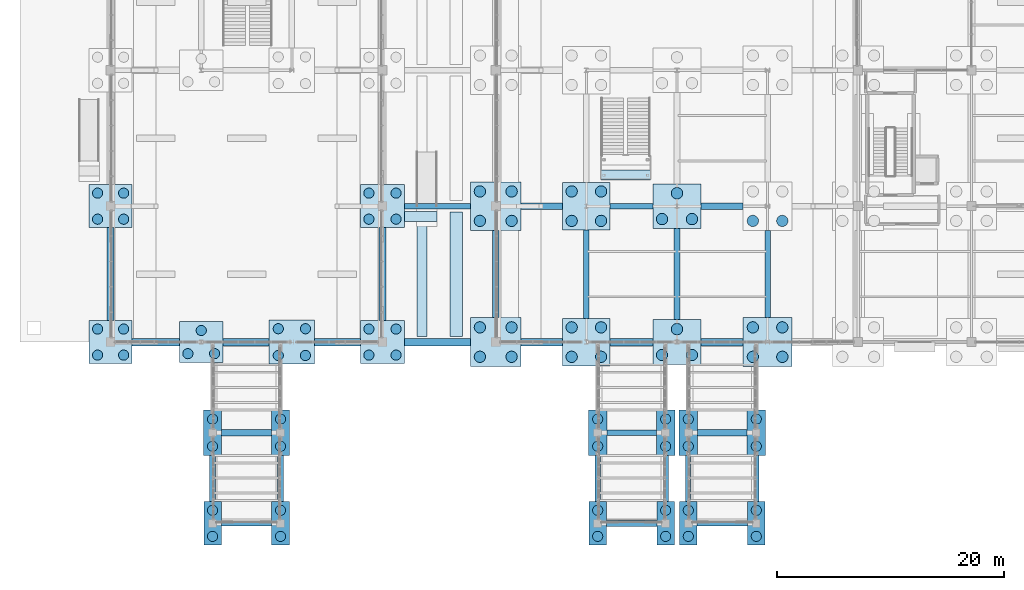
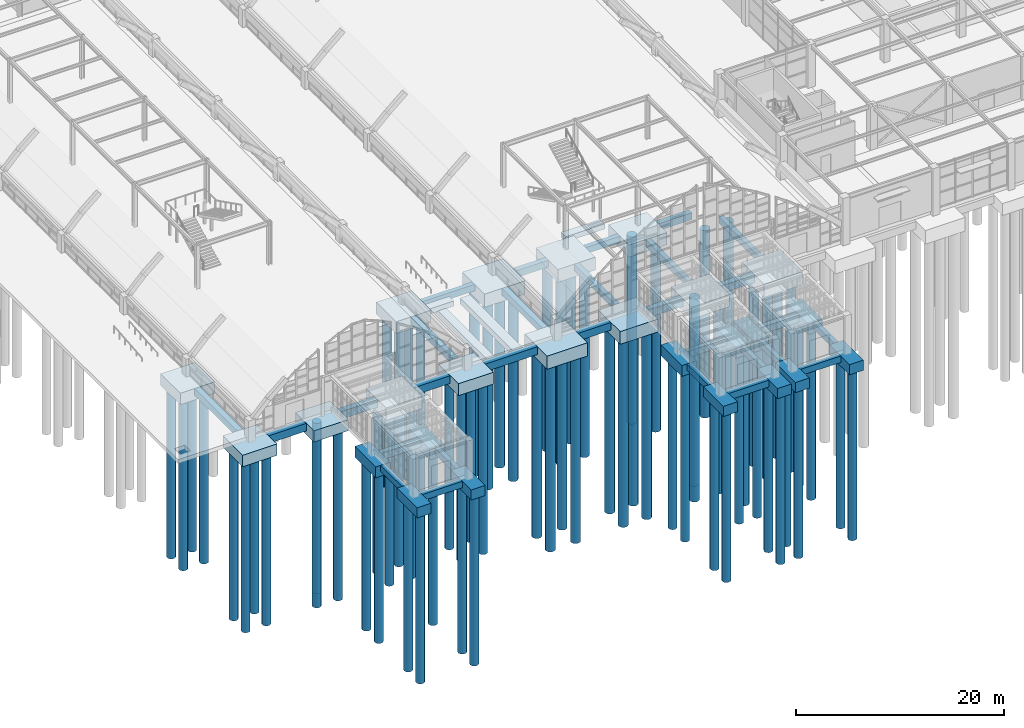
# One storey, part 1 of 129: 75 piles, 58 footings.
"""IFC4 building model written with IfcOpenShell, lengths in metres."""

from ifc_helpers import new_model, si_unit, direction, frame, origin, origin_2d, place, context, subcontext, project, spatial, rectangle, circle, extrude, material, material_profile, profile_set, type_object, element, save


model = new_model("IFC4")

# Units and contexts
model_context = context("Model", 3, precision=1e-05, world=origin(), true_north=direction((0.0, 1.0)))
body_context = subcontext(model_context, "Body", "Model", "MODEL_VIEW")
ifc_project = project(units=[si_unit("LENGTHUNIT", "METRE"), si_unit("AREAUNIT", "SQUARE_METRE"), si_unit("VOLUMEUNIT", "CUBIC_METRE"), si_unit("PLANEANGLEUNIT", "RADIAN"), si_unit("MASSUNIT", "GRAM", prefix="KILO")], contexts=[model_context])

# Site, building, storey
site_placement = place(None, origin())
site = spatial("IfcSite", under=ifc_project, at=site_placement, CompositionType="ELEMENT")
building_placement = place(site_placement, origin())
building = spatial("IfcBuilding", under=site, at=building_placement, Name="Sitalva Quay Ferry Terminal", CompositionType="ELEMENT")
storey_placement = place(building_placement, origin())
storey = spatial("IfcBuildingStorey", under=building, at=storey_placement, Name="L01", CompositionType="ELEMENT", Elevation=0.0)

# Footings
ifc_material_1 = material(Name="Concrete C35/45", Category="concrete")
ifc_material_profile_1 = material_profile(ifc_material_1, rectangle(XDim=0.5, YDim=0.75, at=origin_2d()), Name="RC500x750")
ifc_profile_set_1 = profile_set([ifc_material_profile_1], Name="Concrete C35/45")
footing_type_1 = type_object("IfcFootingType", Name="FootingBeam_500x750", PredefinedType="FOOTING_BEAM", material=ifc_profile_set_1)
for number, where, z_axis, x_axis, name in (
    (1, (17.77490234375, -10.0, -0.824951171875), (1.0, 0.0, 0.0), (0.0, 1.0, 0.0), "Foundation tie beam FBR1-X-001"),
    (2, (59.77490234375, -10.0, -0.824951171875), (1.0, 0.0, 0.0), (0.0, 1.0, 0.0), "Foundation tie beam FBR1-X-003"),
):
    element("IfcFooting", number, at=place(storey_placement, frame(where, z_axis=z_axis, x_axis=x_axis)), inside=storey, type_object=footing_type_1, Name=name, PredefinedType="FOOTING_BEAM", context=body_context, shape_type="SweptSolid", body=[
        extrude(rectangle(XDim=0.5, YDim=0.75, at=origin_2d()), origin(), (0.0, 0.0, 1.0), 4.4501953125),
    ])
footing_1_placement = place(storey_placement, frame((51.81005859375, -2.0, -0.824951171875), z_axis=(1.0, 0.0, 0.0), x_axis=(0.0, 1.0, 0.0)))
element("IfcFooting", 3, at=footing_1_placement, inside=storey, type_object=footing_type_1, Name="Foundation tie beam FBR1-X-005", PredefinedType="FOOTING_BEAM", context=body_context, shape_type="SweptSolid", body=[
    extrude(rectangle(XDim=0.5, YDim=0.75, at=origin_2d()), origin(), (0.0, 0.0, 1.0), 4.3798828125),
])
footing_2_placement = place(storey_placement, frame((33.949951171875, 18.0, -0.824951171875), z_axis=(1.0, 0.0, 0.0), x_axis=(0.0, 1.0, 0.0)))
element("IfcFooting", 4, at=footing_2_placement, inside=storey, type_object=footing_type_1, Name="Foundation tie beam FBR1-X-027", PredefinedType="FOOTING_BEAM", context=body_context, shape_type="SweptSolid", body=[
    extrude(rectangle(XDim=0.5, YDim=0.75, at=origin_2d()), origin(), (0.0, 0.0, 1.0), 5.800048828125),
])
footing_3_placement = place(storey_placement, frame((52.10009765625, 18.0, -0.824951171875), z_axis=(1.0, 0.0, 0.0), x_axis=(0.0, 1.0, 0.0)))
element("IfcFooting", 5, at=footing_3_placement, inside=storey, type_object=footing_type_1, Name="Foundation tie beam FBR1-X-029", PredefinedType="FOOTING_BEAM", context=body_context, shape_type="SweptSolid", body=[
    extrude(rectangle(XDim=0.5, YDim=0.75, at=origin_2d()), origin(), (0.0, 0.0, 1.0), 3.77490234375),
])
for number, where, z_axis, x_axis, name in (
    (6, (17.0, -8.074951171875, -0.824951171875), (0.0, 1.0, 0.0), (-1.0, 0.0, 0.0), "Foundation tie beam FBR1-Y-226"),
    (7, (23.0, -8.074951171875, -0.824951171875), (0.0, 1.0, 0.0), (-1.0, 0.0, 0.0), "Foundation tie beam FBR1-Y-227"),
):
    element("IfcFooting", number, at=place(storey_placement, frame(where, z_axis=z_axis, x_axis=x_axis)), inside=storey, type_object=footing_type_1, Name=name, PredefinedType="FOOTING_BEAM", context=body_context, shape_type="SweptSolid", body=[
        extrude(rectangle(XDim=0.5, YDim=0.75, at=origin_2d()), origin(), (0.0, 0.0, 1.0), 4.074951171875),
    ])
footing_4_placement = place(storey_placement, frame((50.0, 8.10009765625, -0.824951171875), z_axis=(0.0, 1.0, 0.0), x_axis=(-1.0, 0.0, 0.0)))
element("IfcFooting", 8, at=footing_4_placement, inside=storey, type_object=footing_type_1, Name="Foundation tie beam FBR1-Y-256", PredefinedType="FOOTING_BEAM", context=body_context, shape_type="SweptSolid", body=[
    extrude(rectangle(XDim=0.5, YDim=0.75, at=origin_2d()), origin(), (0.0, 0.0, 1.0), 7.7998046875),
])
for number, where, z_axis, x_axis, name in (
    (9, (51.0, -8.074951171875, -0.824951171875), (0.0, 1.0, 0.0), (-1.0, 0.0, 0.0), "Foundation tie beam FBR1-Y-263"),
    (10, (57.0, -8.074951171875, -0.824951171875), (0.0, 1.0, 0.0), (-1.0, 0.0, 0.0), "Foundation tie beam FBR1-Y-264"),
):
    element("IfcFooting", number, at=place(storey_placement, frame(where, z_axis=z_axis, x_axis=x_axis)), inside=storey, type_object=footing_type_1, Name=name, PredefinedType="FOOTING_BEAM", context=body_context, shape_type="SweptSolid", body=[
        extrude(rectangle(XDim=0.5, YDim=0.75, at=origin_2d()), origin(), (0.0, 0.0, 1.0), 4.074951171875),
    ])
footing_5_placement = place(storey_placement, frame((58.0, 7.97509765625, -0.824951171875), z_axis=(0.0, 1.0, 0.0), x_axis=(-1.0, 0.0, 0.0)))
element("IfcFooting", 11, at=footing_5_placement, inside=storey, type_object=footing_type_1, Name="Foundation tie beam FBR1-Y-265", PredefinedType="FOOTING_BEAM", context=body_context, shape_type="SweptSolid", body=[
    extrude(rectangle(XDim=0.5, YDim=0.75, at=origin_2d()), origin(), (0.0, 0.0, 1.0), 8.0498046875),
])
for number, where, z_axis, x_axis, name in (
    (12, (59.0, -8.074951171875, -0.824951171875), (0.0, 1.0, 0.0), (-1.0, 0.0, 0.0), "Foundation tie beam FBR1-Y-272"),
    (13, (65.0, -8.074951171875, -0.824951171875), (0.0, 1.0, 0.0), (-1.0, 0.0, 0.0), "Foundation tie beam FBR1-Y-273"),
):
    element("IfcFooting", number, at=place(storey_placement, frame(where, z_axis=z_axis, x_axis=x_axis)), inside=storey, type_object=footing_type_1, Name=name, PredefinedType="FOOTING_BEAM", context=body_context, shape_type="SweptSolid", body=[
        extrude(rectangle(XDim=0.5, YDim=0.75, at=origin_2d()), origin(), (0.0, 0.0, 1.0), 4.074951171875),
    ])
footing_6_placement = place(storey_placement, frame((66.0, 8.14990234375, -0.824951171875), z_axis=(0.0, 1.0, 0.0), x_axis=(-1.0, 0.0, 0.0)))
element("IfcFooting", 14, at=footing_6_placement, inside=storey, type_object=footing_type_1, Name="Foundation tie beam FBR1-Y-274", PredefinedType="FOOTING_BEAM", context=body_context, shape_type="SweptSolid", body=[
    extrude(rectangle(XDim=0.5, YDim=0.75, at=origin_2d()), origin(), (0.0, 0.0, 1.0), 7.7001953125),
])
ifc_material_2 = material(Name="Concrete C35/45", Category="concrete")
ifc_material_profile_2 = material_profile(ifc_material_2, rectangle(XDim=0.60009765625, YDim=0.800048828125, at=origin_2d()), Name="RC600x800")
ifc_profile_set_2 = profile_set([ifc_material_profile_2], Name="Concrete C35/45")
footing_type_2 = type_object("IfcFootingType", Name="FootingBeam_600x800", PredefinedType="FOOTING_BEAM", material=ifc_profile_set_2)
footing_7_placement = place(storey_placement, frame((51.77490234375, -10.0, -0.85009765625), z_axis=(1.0, 0.0, 0.0), x_axis=(0.0, 1.0, 0.0)))
element("IfcFooting", 15, at=footing_7_placement, inside=storey, type_object=footing_type_2, Name="Foundation tie beam FBR1-X-002", PredefinedType="FOOTING_BEAM", context=body_context, shape_type="SweptSolid", body=[
    extrude(rectangle(XDim=0.60009765625, YDim=0.800048828125, at=origin_2d()), origin(), (0.0, 0.0, 1.0), 4.4501953125),
])
for number, where, z_axis, x_axis, name in (
    (16, (17.81005859375, -2.0, -0.85009765625), (1.0, 0.0, 0.0), (0.0, 1.0, 0.0), "Foundation tie beam FBR1-X-004"),
    (17, (59.81005859375, -2.0, -0.85009765625), (1.0, 0.0, 0.0), (0.0, 1.0, 0.0), "Foundation tie beam FBR1-X-006"),
):
    element("IfcFooting", number, at=place(storey_placement, frame(where, z_axis=z_axis, x_axis=x_axis)), inside=storey, type_object=footing_type_2, Name=name, PredefinedType="FOOTING_BEAM", context=body_context, shape_type="SweptSolid", body=[
        extrude(rectangle(XDim=0.60009765625, YDim=0.800048828125, at=origin_2d()), origin(), (0.0, 0.0, 1.0), 4.3798828125),
    ])
footing_8_placement = place(storey_placement, frame((44.25, 18.0, -0.85009765625), z_axis=(1.0, 0.0, 0.0), x_axis=(0.0, 1.0, 0.0)))
element("IfcFooting", 18, at=footing_8_placement, inside=storey, type_object=footing_type_2, Name="Foundation tie beam FBR1-X-028", PredefinedType="FOOTING_BEAM", context=body_context, shape_type="SweptSolid", body=[
    extrude(rectangle(XDim=0.60009765625, YDim=0.800048828125, at=origin_2d()), origin(), (0.0, 0.0, 1.0), 3.64990234375),
])
footing_9_placement = place(storey_placement, frame((60.125, 18.0, -0.85009765625), z_axis=(1.0, 0.0, 0.0), x_axis=(0.0, 1.0, 0.0)))
element("IfcFooting", 19, at=footing_9_placement, inside=storey, type_object=footing_type_2, Name="Foundation tie beam FBR1-X-030", PredefinedType="FOOTING_BEAM", context=body_context, shape_type="SweptSolid", body=[
    extrude(rectangle(XDim=0.60009765625, YDim=0.800048828125, at=origin_2d()), origin(), (0.0, 0.0, 1.0), 3.72509765625),
])
for number, where, z_axis, x_axis, name in (
    (20, (8.0, 7.89990234375, -0.85009765625), (0.0, 1.0, 0.0), (-1.0, 0.0, 0.0), "Foundation tie beam FBR1-Y-209"),
    (21, (32.0, 7.89990234375, -0.85009765625), (0.0, 1.0, 0.0), (-1.0, 0.0, 0.0), "Foundation tie beam FBR1-Y-236"),
):
    element("IfcFooting", number, at=place(storey_placement, frame(where, z_axis=z_axis, x_axis=x_axis)), inside=storey, type_object=footing_type_2, Name=name, PredefinedType="FOOTING_BEAM", context=body_context, shape_type="SweptSolid", body=[
        extrude(rectangle(XDim=0.60009765625, YDim=0.800048828125, at=origin_2d()), origin(), (0.0, 0.0, 1.0), 8.2001953125),
    ])
footing_10_placement = place(storey_placement, frame((42.0, 8.14990234375, -0.85009765625), z_axis=(0.0, 1.0, 0.0), x_axis=(-1.0, 0.0, 0.0)))
element("IfcFooting", 22, at=footing_10_placement, inside=storey, type_object=footing_type_2, Name="Foundation tie beam FBR1-Y-246", PredefinedType="FOOTING_BEAM", context=body_context, shape_type="SweptSolid", body=[
    extrude(rectangle(XDim=0.60009765625, YDim=0.800048828125, at=origin_2d()), origin(), (0.0, 0.0, 1.0), 7.7001953125),
])
ifc_material_3 = material(Name="Concrete C35/45", Category="concrete")
ifc_material_profile_3 = material_profile(ifc_material_3, rectangle(XDim=0.64990234375, YDim=0.89990234375, at=origin_2d()), Name="RC650x900")
ifc_profile_set_3 = profile_set([ifc_material_profile_3], Name="Concrete C35/45")
footing_type_3 = type_object("IfcFootingType", Name="FootingBeam_650x900", PredefinedType="FOOTING_BEAM", material=ifc_profile_set_3)
footing_11_placement = place(storey_placement, frame((9.89990234375, 6.0, -0.89990234375), z_axis=(1.0, 0.0, 0.0), x_axis=(0.0, 1.0, 0.0)))
element("IfcFooting", 23, at=footing_11_placement, inside=storey, type_object=footing_type_3, Name="Foundation tie beam FBR1-X-007", PredefinedType="FOOTING_BEAM", context=body_context, shape_type="SweptSolid", body=[
    extrude(rectangle(XDim=0.64990234375, YDim=0.89990234375, at=origin_2d()), origin(), (0.0, 0.0, 1.0), 4.175048828125),
])
footing_12_placement = place(storey_placement, frame((17.925048828125, 6.0, -0.89990234375), z_axis=(1.0, 0.0, 0.0), x_axis=(0.0, 1.0, 0.0)))
element("IfcFooting", 24, at=footing_12_placement, inside=storey, type_object=footing_type_3, Name="Foundation tie beam FBR1-X-008", PredefinedType="FOOTING_BEAM", context=body_context, shape_type="SweptSolid", body=[
    extrude(rectangle(XDim=0.64990234375, YDim=0.89990234375, at=origin_2d()), origin(), (0.0, 0.0, 1.0), 4.074951171875),
])
footing_13_placement = place(storey_placement, frame((26.0, 6.0, -0.89990234375), z_axis=(1.0, 0.0, 0.0), x_axis=(0.0, 1.0, 0.0)))
element("IfcFooting", 25, at=footing_13_placement, inside=storey, type_object=footing_type_3, Name="Foundation tie beam FBR1-X-009", PredefinedType="FOOTING_BEAM", context=body_context, shape_type="SweptSolid", body=[
    extrude(rectangle(XDim=0.64990234375, YDim=0.89990234375, at=origin_2d()), origin(), (0.0, 0.0, 1.0), 4.050048828125),
])
footing_14_placement = place(storey_placement, frame((33.949951171875, 6.0, -0.89990234375), z_axis=(1.0, 0.0, 0.0), x_axis=(0.0, 1.0, 0.0)))
element("IfcFooting", 26, at=footing_14_placement, inside=storey, type_object=footing_type_3, Name="Foundation tie beam FBR1-X-010", PredefinedType="FOOTING_BEAM", context=body_context, shape_type="SweptSolid", body=[
    extrude(rectangle(XDim=0.64990234375, YDim=0.89990234375, at=origin_2d()), origin(), (0.0, 0.0, 1.0), 5.800048828125),
])
footing_15_placement = place(storey_placement, frame((44.25, 6.0, -0.89990234375), z_axis=(1.0, 0.0, 0.0), x_axis=(0.0, 1.0, 0.0)))
element("IfcFooting", 27, at=footing_15_placement, inside=storey, type_object=footing_type_3, Name="Foundation tie beam FBR1-X-011", PredefinedType="FOOTING_BEAM", context=body_context, shape_type="SweptSolid", body=[
    extrude(rectangle(XDim=0.64990234375, YDim=0.89990234375, at=origin_2d()), origin(), (0.0, 0.0, 1.0), 3.64990234375),
])
footing_16_placement = place(storey_placement, frame((52.10009765625, 6.0, -0.89990234375), z_axis=(1.0, 0.0, 0.0), x_axis=(0.0, 1.0, 0.0)))
element("IfcFooting", 28, at=footing_16_placement, inside=storey, type_object=footing_type_3, Name="Foundation tie beam FBR1-X-012", PredefinedType="FOOTING_BEAM", context=body_context, shape_type="SweptSolid", body=[
    extrude(rectangle(XDim=0.64990234375, YDim=0.89990234375, at=origin_2d()), origin(), (0.0, 0.0, 1.0), 3.77490234375),
])
footing_17_placement = place(storey_placement, frame((60.125, 6.0, -0.89990234375), z_axis=(1.0, 0.0, 0.0), x_axis=(0.0, 1.0, 0.0)))
element("IfcFooting", 29, at=footing_17_placement, inside=storey, type_object=footing_type_3, Name="Foundation tie beam FBR1-X-013", PredefinedType="FOOTING_BEAM", context=body_context, shape_type="SweptSolid", body=[
    extrude(rectangle(XDim=0.64990234375, YDim=0.89990234375, at=origin_2d()), origin(), (0.0, 0.0, 1.0), 3.72509765625),
])
ifc_material_4 = material(Name="Concrete C35/45", Category="concrete")
footing_type_4 = type_object("IfcFootingType", Name="PileCap_2P_D900_Y1", PredefinedType="PILE_CAP", material=ifc_material_4)
for number, where, z_axis, x_axis, name in (
    (30, (17.0, -10.0, -1.64990234375), (0.0, 0.0, 1.0), (1.0, 0.0, 0.0), "Pile cap PC-15 at X170A"),
    (31, (23.0, -10.0, -1.64990234375), (0.0, 0.0, 1.0), (1.0, 0.0, 0.0), "Pile cap PC-15 at X230A"),
    (32, (51.0, -10.0, -1.64990234375), (0.0, 0.0, 1.0), (1.0, 0.0, 0.0), "Pile cap PC-15 at X510A"),
    (33, (57.0, -10.0, -1.64990234375), (0.0, 0.0, 1.0), (1.0, 0.0, 0.0), "Pile cap PC-15 at X570A"),
    (34, (59.0, -10.0, -1.64990234375), (0.0, 0.0, 1.0), (1.0, 0.0, 0.0), "Pile cap PC-15 at X590A"),
    (35, (65.0, -10.0, -1.64990234375), (0.0, 0.0, 1.0), (1.0, 0.0, 0.0), "Pile cap PC-15 at X650A"),
):
    element("IfcFooting", number, at=place(storey_placement, frame(where, z_axis=z_axis, x_axis=x_axis)), inside=storey, type_object=footing_type_4, Name=name, PredefinedType="PILE_CAP", context=body_context, shape_type="SweptSolid", body=[
        extrude(rectangle(XDim=1.550048828125, YDim=3.85009765625, at=origin_2d()), origin(), (0.0, 0.0, 1.0), 1.199951171875),
    ])
ifc_material_5 = material(Name="Concrete C35/45", Category="concrete")
footing_type_5 = type_object("IfcFootingType", Name="PileCap_2P_D900_Y2", PredefinedType="PILE_CAP", material=ifc_material_5)
for number, where, z_axis, x_axis, name in (
    (36, (17.0, -2.0, -1.72998046875), (0.0, 0.0, 1.0), (1.0, 0.0, 0.0), "Pile cap PC-16 at X170B"),
    (37, (23.0, -2.0, -1.72998046875), (0.0, 0.0, 1.0), (1.0, 0.0, 0.0), "Pile cap PC-16 at X230B"),
    (38, (51.0, -2.0, -1.72998046875), (0.0, 0.0, 1.0), (1.0, 0.0, 0.0), "Pile cap PC-16 at X510B"),
    (39, (57.0, -2.0, -1.72998046875), (0.0, 0.0, 1.0), (1.0, 0.0, 0.0), "Pile cap PC-16 at X570B"),
    (40, (59.0, -2.0, -1.72998046875), (0.0, 0.0, 1.0), (1.0, 0.0, 0.0), "Pile cap PC-16 at X590B"),
    (41, (65.0, -2.0, -1.72998046875), (0.0, 0.0, 1.0), (1.0, 0.0, 0.0), "Pile cap PC-16 at X650B"),
):
    element("IfcFooting", number, at=place(storey_placement, frame(where, z_axis=z_axis, x_axis=x_axis)), inside=storey, type_object=footing_type_5, Name=name, PredefinedType="PILE_CAP", context=body_context, shape_type="SweptSolid", body=[
        extrude(rectangle(XDim=1.6201171875, YDim=4.0, at=origin_2d()), origin(), (0.0, 0.0, 1.0), 1.280029296875),
    ])
ifc_material_6 = material(Name="Concrete C35/45", Category="concrete")
footing_type_6 = type_object("IfcFootingType", Name="PileCap_3P_D1000_A", PredefinedType="PILE_CAP", material=ifc_material_6)
for number, where, z_axis, x_axis, name in (
    (42, (58.0, 6.0, -1.869873046875), (0.0, 0.0, 1.0), (1.0, 0.0, 0.0), "Pile cap PC-18 at 8C"),
    (43, (58.0, 18.0, -1.869873046875), (0.0, 0.0, 1.0), (1.0, 0.0, 0.0), "Pile cap PC-18 at 8D"),
):
    element("IfcFooting", number, at=place(storey_placement, frame(where, z_axis=z_axis, x_axis=x_axis)), inside=storey, type_object=footing_type_6, Name=name, PredefinedType="PILE_CAP", context=body_context, shape_type="SweptSolid", body=[
        extrude(rectangle(XDim=4.25, YDim=3.949951171875, at=origin_2d()), origin(), (0.0, 0.0, 1.0), 1.419921875),
    ])
ifc_material_7 = material(Name="Concrete C35/45", Category="concrete")
footing_type_7 = type_object("IfcFootingType", Name="PileCap_3P_D900_A", PredefinedType="PILE_CAP", material=ifc_material_7)
footing_18_placement = place(storey_placement, frame((16.0, 6.0, -1.75), z_axis=(0.0, 0.0, 1.0), x_axis=(1.0, 0.0, 0.0)))
element("IfcFooting", 44, at=footing_18_placement, inside=storey, type_object=footing_type_7, Name="Pile cap PC-17 at 3C", PredefinedType="PILE_CAP", context=body_context, shape_type="SweptSolid", body=[
    extrude(rectangle(XDim=3.85009765625, YDim=3.60009765625, at=origin_2d()), origin(), (0.0, 0.0, 1.0), 1.300048828125),
])
ifc_material_8 = material(Name="Concrete C35/45", Category="concrete")
footing_type_8 = type_object("IfcFootingType", Name="PileCap_4P_D1000_A", PredefinedType="PILE_CAP", material=ifc_material_8)
for number, where, z_axis, x_axis, name in (
    (45, (50.0, 6.0, -1.949951171875), (0.0, 0.0, 1.0), (1.0, 0.0, 0.0), "Pile cap PC-03 at 7C"),
    (46, (50.0, 18.0, -1.949951171875), (0.0, 0.0, 1.0), (1.0, 0.0, 0.0), "Pile cap PC-03 at 7D"),
):
    element("IfcFooting", number, at=place(storey_placement, frame(where, z_axis=z_axis, x_axis=x_axis)), inside=storey, type_object=footing_type_8, Name=name, PredefinedType="PILE_CAP", context=body_context, shape_type="SweptSolid", body=[
        extrude(rectangle(XDim=4.199951171875, YDim=4.199951171875, at=origin_2d()), origin(), (0.0, 0.0, 1.0), 1.5),
    ])
ifc_material_9 = material(Name="Concrete C35/45", Category="concrete")
footing_type_9 = type_object("IfcFootingType", Name="PileCap_4P_D1000_B", PredefinedType="PILE_CAP", material=ifc_material_9)
footing_19_placement = place(storey_placement, frame((66.0, 6.0, -2.0), z_axis=(0.0, 0.0, 1.0), x_axis=(1.0, 0.0, 0.0)))
element("IfcFooting", 47, at=footing_19_placement, inside=storey, type_object=footing_type_9, Name="Pile cap PC-04 at 9C", PredefinedType="PILE_CAP", context=body_context, shape_type="SweptSolid", body=[
    extrude(rectangle(XDim=4.300048828125, YDim=4.300048828125, at=origin_2d()), origin(), (0.0, 0.0, 1.0), 1.550048828125),
])
ifc_material_10 = material(Name="Concrete C35/45", Category="concrete")
footing_type_10 = type_object("IfcFootingType", Name="PileCap_4P_D1000_V1", PredefinedType="PILE_CAP", material=ifc_material_10)
for number, where, z_axis, x_axis, name in (
    (48, (42.0, 6.0, -2.0), (0.0, 0.0, 1.0), (1.0, 0.0, 0.0), "Pile cap PC-06 at 6C"),
    (49, (42.0, 18.0, -2.0), (0.0, 0.0, 1.0), (1.0, 0.0, 0.0), "Pile cap PC-06 at 6D"),
):
    element("IfcFooting", number, at=place(storey_placement, frame(where, z_axis=z_axis, x_axis=x_axis)), inside=storey, type_object=footing_type_10, Name=name, PredefinedType="PILE_CAP", context=body_context, shape_type="SweptSolid", body=[
        extrude(rectangle(XDim=4.5, YDim=4.300048828125, at=origin_2d()), origin(), (0.0, 0.0, 1.0), 1.550048828125),
    ])
ifc_material_11 = material(Name="Concrete C35/45", Category="concrete")
footing_type_11 = type_object("IfcFootingType", Name="PileCap_4P_D900_A", PredefinedType="PILE_CAP", material=ifc_material_11)
for number, where, z_axis, x_axis, name in (
    (50, (8.0, 6.0, -1.800048828125), (0.0, 0.0, 1.0), (1.0, 0.0, 0.0), "Pile cap PC-07 at 2C"),
    (51, (8.0, 18.0, -1.800048828125), (0.0, 0.0, 1.0), (1.0, 0.0, 0.0), "Pile cap PC-07 at 2D"),
):
    element("IfcFooting", number, at=place(storey_placement, frame(where, z_axis=z_axis, x_axis=x_axis)), inside=storey, type_object=footing_type_11, Name=name, PredefinedType="PILE_CAP", context=body_context, shape_type="SweptSolid", body=[
        extrude(rectangle(XDim=3.800048828125, YDim=3.800048828125, at=origin_2d()), origin(), (0.0, 0.0, 1.0), 1.35009765625),
    ])
ifc_material_12 = material(Name="Concrete C35/45", Category="concrete")
footing_type_12 = type_object("IfcFootingType", Name="PileCap_4P_D900_B", PredefinedType="PILE_CAP", material=ifc_material_12)
for number, where, z_axis, x_axis, name in (
    (52, (32.0, 6.0, -1.849853515625), (0.0, 0.0, 1.0), (1.0, 0.0, 0.0), "Pile cap PC-08 at 5C"),
    (53, (32.0, 18.0, -1.849853515625), (0.0, 0.0, 1.0), (1.0, 0.0, 0.0), "Pile cap PC-08 at 5D"),
):
    element("IfcFooting", number, at=place(storey_placement, frame(where, z_axis=z_axis, x_axis=x_axis)), inside=storey, type_object=footing_type_12, Name=name, PredefinedType="PILE_CAP", context=body_context, shape_type="SweptSolid", body=[
        extrude(rectangle(XDim=3.89990234375, YDim=3.800048828125, at=origin_2d()), origin(), (0.0, 0.0, 1.0), 1.39990234375),
    ])
ifc_material_13 = material(Name="Concrete C35/45", Category="concrete")
footing_type_13 = type_object("IfcFootingType", Name="PileCap_4P_D900_C", PredefinedType="PILE_CAP", material=ifc_material_13)
footing_20_placement = place(storey_placement, frame((24.0, 6.0, -1.89990234375), z_axis=(0.0, 0.0, 1.0), x_axis=(1.0, 0.0, 0.0)))
element("IfcFooting", 54, at=footing_20_placement, inside=storey, type_object=footing_type_13, Name="Pile cap PC-09 at 4C", PredefinedType="PILE_CAP", context=body_context, shape_type="SweptSolid", body=[
    extrude(rectangle(XDim=4.0, YDim=3.89990234375, at=origin_2d()), origin(), (0.0, 0.0, 1.0), 1.449951171875),
])

# Piles
ifc_material_14 = material(Name="Concrete C35/45", Category="concrete")
ifc_material_profile_4 = material_profile(ifc_material_14, circle(Radius=0.5, at=origin_2d()), Name="PILE-D1000")
ifc_profile_set_4 = profile_set([ifc_material_profile_4], Name="Concrete C35/45")
pile_type_1 = type_object("IfcPileType", Name="Pile_Bored_D1000", PredefinedType="BORED", material=ifc_profile_set_4)
for number, where, z_axis, x_axis, name in (
    (55, (40.60009765625, 4.699951171875, -1.89990234375), (0.0, 0.0, -1.0), (1.0, 0.0, 0.0), "Bored pile 6C-P1"),
    (56, (43.39990234375, 4.699951171875, -1.89990234375), (0.0, 0.0, -1.0), (1.0, 0.0, 0.0), "Bored pile 6C-P2"),
    (57, (40.60009765625, 7.300048828125, -1.89990234375), (0.0, 0.0, -1.0), (1.0, 0.0, 0.0), "Bored pile 6C-P3"),
    (58, (43.39990234375, 7.300048828125, -1.89990234375), (0.0, 0.0, -1.0), (1.0, 0.0, 0.0), "Bored pile 6C-P4"),
    (59, (48.699951171875, 4.699951171875, -1.85009765625), (0.0, 0.0, -1.0), (1.0, 0.0, 0.0), "Bored pile 7C-P1"),
    (60, (51.300048828125, 4.699951171875, -1.85009765625), (0.0, 0.0, -1.0), (1.0, 0.0, 0.0), "Bored pile 7C-P2"),
    (61, (48.699951171875, 7.300048828125, -1.85009765625), (0.0, 0.0, -1.0), (1.0, 0.0, 0.0), "Bored pile 7C-P3"),
    (62, (51.300048828125, 7.300048828125, -1.85009765625), (0.0, 0.0, -1.0), (1.0, 0.0, 0.0), "Bored pile 7C-P4"),
    (63, (56.679931640625, 4.860107421875, -1.77001953125), (0.0, 0.0, -1.0), (1.0, 0.0, 0.0), "Bored pile 8C-P1"),
    (64, (59.320068359375, 4.860107421875, -1.77001953125), (0.0, 0.0, -1.0), (1.0, 0.0, 0.0), "Bored pile 8C-P2"),
    (65, (58.0, 7.139892578125, -1.77001953125), (0.0, 0.0, -1.0), (1.0, 0.0, 0.0), "Bored pile 8C-P3"),
    (66, (64.699951171875, 4.699951171875, -1.89990234375), (0.0, 0.0, -1.0), (1.0, 0.0, 0.0), "Bored pile 9C-P1"),
    (67, (67.300048828125, 4.699951171875, -1.89990234375), (0.0, 0.0, -1.0), (1.0, 0.0, 0.0), "Bored pile 9C-P2"),
    (68, (64.699951171875, 7.300048828125, -1.89990234375), (0.0, 0.0, -1.0), (1.0, 0.0, 0.0), "Bored pile 9C-P3"),
    (69, (67.300048828125, 7.300048828125, -1.89990234375), (0.0, 0.0, -1.0), (1.0, 0.0, 0.0), "Bored pile 9C-P4"),
    (70, (40.60009765625, 16.699951171875, -1.89990234375), (0.0, 0.0, -1.0), (1.0, 0.0, 0.0), "Bored pile 6D-P1"),
    (71, (43.39990234375, 16.699951171875, -1.89990234375), (0.0, 0.0, -1.0), (1.0, 0.0, 0.0), "Bored pile 6D-P2"),
    (72, (40.60009765625, 19.300048828125, -1.89990234375), (0.0, 0.0, -1.0), (1.0, 0.0, 0.0), "Bored pile 6D-P3"),
    (73, (43.39990234375, 19.300048828125, -1.89990234375), (0.0, 0.0, -1.0), (1.0, 0.0, 0.0), "Bored pile 6D-P4"),
    (74, (48.699951171875, 16.699951171875, -1.85009765625), (0.0, 0.0, -1.0), (1.0, 0.0, 0.0), "Bored pile 7D-P1"),
    (75, (51.300048828125, 16.699951171875, -1.85009765625), (0.0, 0.0, -1.0), (1.0, 0.0, 0.0), "Bored pile 7D-P2"),
    (76, (48.699951171875, 19.300048828125, -1.85009765625), (0.0, 0.0, -1.0), (1.0, 0.0, 0.0), "Bored pile 7D-P3"),
    (77, (51.300048828125, 19.300048828125, -1.85009765625), (0.0, 0.0, -1.0), (1.0, 0.0, 0.0), "Bored pile 7D-P4"),
    (78, (56.679931640625, 16.860107421875, -1.77001953125), (0.0, 0.0, -1.0), (1.0, 0.0, 0.0), "Bored pile 8D-P1"),
    (79, (59.320068359375, 16.860107421875, -1.77001953125), (0.0, 0.0, -1.0), (1.0, 0.0, 0.0), "Bored pile 8D-P2"),
    (80, (58.0, 19.139892578125, -1.77001953125), (0.0, 0.0, -1.0), (1.0, 0.0, 0.0), "Bored pile 8D-P3"),
    (81, (64.699951171875, 16.699951171875, -1.89990234375), (0.0, 0.0, -1.0), (1.0, 0.0, 0.0), "Bored pile 9D-P1"),
    (82, (67.300048828125, 16.699951171875, -1.89990234375), (0.0, 0.0, -1.0), (1.0, 0.0, 0.0), "Bored pile 9D-P2"),
):
    element("IfcPile", number, at=place(storey_placement, frame(where, z_axis=z_axis, x_axis=x_axis)), inside=storey, type_object=pile_type_1, Name=name, PredefinedType="BORED", context=body_context, shape_type="SweptSolid", body=[
        extrude(circle(Radius=0.5, at=origin_2d()), origin(), (0.0, 0.0, 1.0), 22.0),
    ])
ifc_material_15 = material(Name="Concrete C35/45", Category="concrete")
ifc_material_profile_5 = material_profile(ifc_material_15, circle(Radius=0.449951171875, at=origin_2d()), Name="PILE-D900")
ifc_profile_set_5 = profile_set([ifc_material_profile_5], Name="Concrete C35/45")
pile_type_2 = type_object("IfcPileType", Name="Pile_Bored_D900", PredefinedType="BORED", material=ifc_profile_set_5)
for number, where, z_axis, x_axis, name in (
    (83, (17.0, -11.14990234375, -1.550048828125), (0.0, 0.0, -1.0), (1.0, 0.0, 0.0), "Bored pile X170A-P1"),
    (84, (17.0, -8.85009765625, -1.550048828125), (0.0, 0.0, -1.0), (1.0, 0.0, 0.0), "Bored pile X170A-P2"),
    (85, (23.0, -11.14990234375, -1.550048828125), (0.0, 0.0, -1.0), (1.0, 0.0, 0.0), "Bored pile X230A-P1"),
    (86, (23.0, -8.85009765625, -1.550048828125), (0.0, 0.0, -1.0), (1.0, 0.0, 0.0), "Bored pile X230A-P2"),
    (87, (51.0, -11.14990234375, -1.550048828125), (0.0, 0.0, -1.0), (1.0, 0.0, 0.0), "Bored pile X510A-P1"),
    (88, (51.0, -8.85009765625, -1.550048828125), (0.0, 0.0, -1.0), (1.0, 0.0, 0.0), "Bored pile X510A-P2"),
    (89, (57.0, -11.14990234375, -1.550048828125), (0.0, 0.0, -1.0), (1.0, 0.0, 0.0), "Bored pile X570A-P1"),
    (90, (57.0, -8.85009765625, -1.550048828125), (0.0, 0.0, -1.0), (1.0, 0.0, 0.0), "Bored pile X570A-P2"),
    (91, (59.0, -11.14990234375, -1.550048828125), (0.0, 0.0, -1.0), (1.0, 0.0, 0.0), "Bored pile X590A-P1"),
    (92, (59.0, -8.85009765625, -1.550048828125), (0.0, 0.0, -1.0), (1.0, 0.0, 0.0), "Bored pile X590A-P2"),
    (93, (65.0, -11.14990234375, -1.550048828125), (0.0, 0.0, -1.0), (1.0, 0.0, 0.0), "Bored pile X650A-P1"),
    (94, (65.0, -8.85009765625, -1.550048828125), (0.0, 0.0, -1.0), (1.0, 0.0, 0.0), "Bored pile X650A-P2"),
    (95, (17.0, -3.199951171875, -1.6298828125), (0.0, 0.0, -1.0), (1.0, 0.0, 0.0), "Bored pile X170B-P1"),
    (96, (17.0, -0.800048828125, -1.6298828125), (0.0, 0.0, -1.0), (1.0, 0.0, 0.0), "Bored pile X170B-P2"),
    (97, (23.0, -3.199951171875, -1.6298828125), (0.0, 0.0, -1.0), (1.0, 0.0, 0.0), "Bored pile X230B-P1"),
    (98, (23.0, -0.800048828125, -1.6298828125), (0.0, 0.0, -1.0), (1.0, 0.0, 0.0), "Bored pile X230B-P2"),
    (99, (51.0, -3.199951171875, -1.6298828125), (0.0, 0.0, -1.0), (1.0, 0.0, 0.0), "Bored pile X510B-P1"),
    (100, (51.0, -0.800048828125, -1.6298828125), (0.0, 0.0, -1.0), (1.0, 0.0, 0.0), "Bored pile X510B-P2"),
    (101, (57.0, -3.199951171875, -1.6298828125), (0.0, 0.0, -1.0), (1.0, 0.0, 0.0), "Bored pile X570B-P1"),
    (102, (57.0, -0.800048828125, -1.6298828125), (0.0, 0.0, -1.0), (1.0, 0.0, 0.0), "Bored pile X570B-P2"),
    (103, (59.0, -3.199951171875, -1.6298828125), (0.0, 0.0, -1.0), (1.0, 0.0, 0.0), "Bored pile X590B-P1"),
    (104, (59.0, -0.800048828125, -1.6298828125), (0.0, 0.0, -1.0), (1.0, 0.0, 0.0), "Bored pile X590B-P2"),
    (105, (65.0, -3.199951171875, -1.6298828125), (0.0, 0.0, -1.0), (1.0, 0.0, 0.0), "Bored pile X650B-P1"),
    (106, (65.0, -0.800048828125, -1.6298828125), (0.0, 0.0, -1.0), (1.0, 0.0, 0.0), "Bored pile X650B-P2"),
    (107, (6.85009765625, 4.85009765625, -1.699951171875), (0.0, 0.0, -1.0), (1.0, 0.0, 0.0), "Bored pile 2C-P1"),
    (108, (9.14990234375, 4.85009765625, -1.699951171875), (0.0, 0.0, -1.0), (1.0, 0.0, 0.0), "Bored pile 2C-P2"),
    (109, (6.85009765625, 7.14990234375, -1.699951171875), (0.0, 0.0, -1.0), (1.0, 0.0, 0.0), "Bored pile 2C-P3"),
    (110, (9.14990234375, 7.14990234375, -1.699951171875), (0.0, 0.0, -1.0), (1.0, 0.0, 0.0), "Bored pile 2C-P4"),
    (111, (14.820068359375, 4.97998046875, -1.64990234375), (0.0, 0.0, -1.0), (1.0, 0.0, 0.0), "Bored pile 3C-P1"),
    (112, (17.179931640625, 4.97998046875, -1.64990234375), (0.0, 0.0, -1.0), (1.0, 0.0, 0.0), "Bored pile 3C-P2"),
    (113, (16.0, 7.02001953125, -1.64990234375), (0.0, 0.0, -1.0), (1.0, 0.0, 0.0), "Bored pile 3C-P3"),
    (114, (22.800048828125, 4.820068359375, -1.800048828125), (0.0, 0.0, -1.0), (1.0, 0.0, 0.0), "Bored pile 4C-P1"),
    (115, (25.199951171875, 4.820068359375, -1.800048828125), (0.0, 0.0, -1.0), (1.0, 0.0, 0.0), "Bored pile 4C-P2"),
    (116, (22.800048828125, 7.179931640625, -1.800048828125), (0.0, 0.0, -1.0), (1.0, 0.0, 0.0), "Bored pile 4C-P3"),
    (117, (25.199951171875, 7.179931640625, -1.800048828125), (0.0, 0.0, -1.0), (1.0, 0.0, 0.0), "Bored pile 4C-P4"),
    (118, (30.800048828125, 4.85009765625, -1.75), (0.0, 0.0, -1.0), (1.0, 0.0, 0.0), "Bored pile 5C-P1"),
    (119, (33.199951171875, 4.85009765625, -1.75), (0.0, 0.0, -1.0), (1.0, 0.0, 0.0), "Bored pile 5C-P2"),
    (120, (30.800048828125, 7.14990234375, -1.75), (0.0, 0.0, -1.0), (1.0, 0.0, 0.0), "Bored pile 5C-P3"),
    (121, (33.199951171875, 7.14990234375, -1.75), (0.0, 0.0, -1.0), (1.0, 0.0, 0.0), "Bored pile 5C-P4"),
    (122, (6.85009765625, 16.85009765625, -1.699951171875), (0.0, 0.0, -1.0), (1.0, 0.0, 0.0), "Bored pile 2D-P1"),
    (123, (9.14990234375, 16.85009765625, -1.699951171875), (0.0, 0.0, -1.0), (1.0, 0.0, 0.0), "Bored pile 2D-P2"),
    (124, (6.85009765625, 19.14990234375, -1.699951171875), (0.0, 0.0, -1.0), (1.0, 0.0, 0.0), "Bored pile 2D-P3"),
    (125, (9.14990234375, 19.14990234375, -1.699951171875), (0.0, 0.0, -1.0), (1.0, 0.0, 0.0), "Bored pile 2D-P4"),
    (126, (30.800048828125, 16.85009765625, -1.75), (0.0, 0.0, -1.0), (1.0, 0.0, 0.0), "Bored pile 5D-P1"),
    (127, (33.199951171875, 16.85009765625, -1.75), (0.0, 0.0, -1.0), (1.0, 0.0, 0.0), "Bored pile 5D-P2"),
    (128, (30.800048828125, 19.14990234375, -1.75), (0.0, 0.0, -1.0), (1.0, 0.0, 0.0), "Bored pile 5D-P3"),
    (129, (33.199951171875, 19.14990234375, -1.75), (0.0, 0.0, -1.0), (1.0, 0.0, 0.0), "Bored pile 5D-P4"),
):
    element("IfcPile", number, at=place(storey_placement, frame(where, z_axis=z_axis, x_axis=x_axis)), inside=storey, type_object=pile_type_2, Name=name, PredefinedType="BORED", context=body_context, shape_type="SweptSolid", body=[
        extrude(circle(Radius=0.449951171875, at=origin_2d()), origin(), (0.0, 0.0, 1.0), 20.0),
    ])

# Footings
ifc_material_16 = material(Name="Concrete C35/45", Category="concrete")
ifc_material_profile_6 = material_profile(ifc_material_16, rectangle(XDim=1.10009765625, YDim=0.699951171875, at=origin_2d()), Name="RC1100x700")
ifc_profile_set_6 = profile_set([ifc_material_profile_6], Name="Concrete C35/45")
footing_type_14 = type_object("IfcFootingType", Name="StripFooting_1100x700", PredefinedType="STRIP_FOOTING", material=ifc_profile_set_6)
footing_21_placement = place(storey_placement, frame((38.5, 6.5, -1.60009765625), z_axis=(0.0, 1.0, 0.0), x_axis=(-1.0, 0.0, 0.0)))
element("IfcFooting", 130, at=footing_21_placement, inside=storey, type_object=footing_type_14, Name="Monsoon court edge strip footing SFR1-02", PredefinedType="STRIP_FOOTING", context=body_context, shape_type="SweptSolid", body=[
    extrude(rectangle(XDim=1.10009765625, YDim=0.699951171875, at=origin_2d()), origin(), (0.0, 0.0, 1.0), 11.0),
])
ifc_material_17 = material(Name="Concrete C35/45", Category="concrete")
ifc_material_profile_7 = material_profile(ifc_material_17, rectangle(XDim=0.89990234375, YDim=0.60009765625, at=origin_2d()), Name="RC900x600")
ifc_profile_set_7 = profile_set([ifc_material_profile_7], Name="Concrete C35/45")
footing_type_15 = type_object("IfcFootingType", Name="StripFooting_900x600", PredefinedType="STRIP_FOOTING", material=ifc_profile_set_7)
footing_22_placement = place(storey_placement, frame((35.5, 6.5, -1.550048828125), z_axis=(0.0, 1.0, 0.0), x_axis=(-1.0, 0.0, 0.0)))
element("IfcFooting", 131, at=footing_22_placement, inside=storey, type_object=footing_type_15, Name="Monsoon court edge strip footing SFR1-01", PredefinedType="STRIP_FOOTING", context=body_context, shape_type="SweptSolid", body=[
    extrude(rectangle(XDim=0.89990234375, YDim=0.60009765625, at=origin_2d()), origin(), (0.0, 0.0, 1.0), 11.0),
])
footing_23_placement = place(storey_placement, frame((51.300048828125, 20.739990234375, -0.75), z_axis=(1.0, 0.0, 0.0), x_axis=(0.0, 1.0, 0.0)))
element("IfcFooting", 132, at=footing_23_placement, inside=storey, type_object=footing_type_15, Name="Feature stair ST-11 south landing strip footing", PredefinedType="STRIP_FOOTING", context=body_context, shape_type="SweptSolid", body=[
    extrude(rectangle(XDim=0.89990234375, YDim=0.60009765625, at=origin_2d()), origin(), (0.0, 0.0, 1.0), 4.349853515625),
])
footing_24_placement = place(storey_placement, frame((33.949951171875, 17.10009765625, -1.0), z_axis=(1.0, 0.0, 0.0), x_axis=(0.0, 1.0, 0.0)))
element("IfcFooting", 133, at=footing_24_placement, inside=storey, type_object=footing_type_15, Name="Central monsoon garden court accessible ramp landing strip footing", PredefinedType="STRIP_FOOTING", context=body_context, shape_type="SweptSolid", body=[
    extrude(rectangle(XDim=0.89990234375, YDim=0.60009765625, at=origin_2d()), origin(), (0.0, 0.0, 1.0), 2.85009765625),
])

save(model, "model.ifc")
